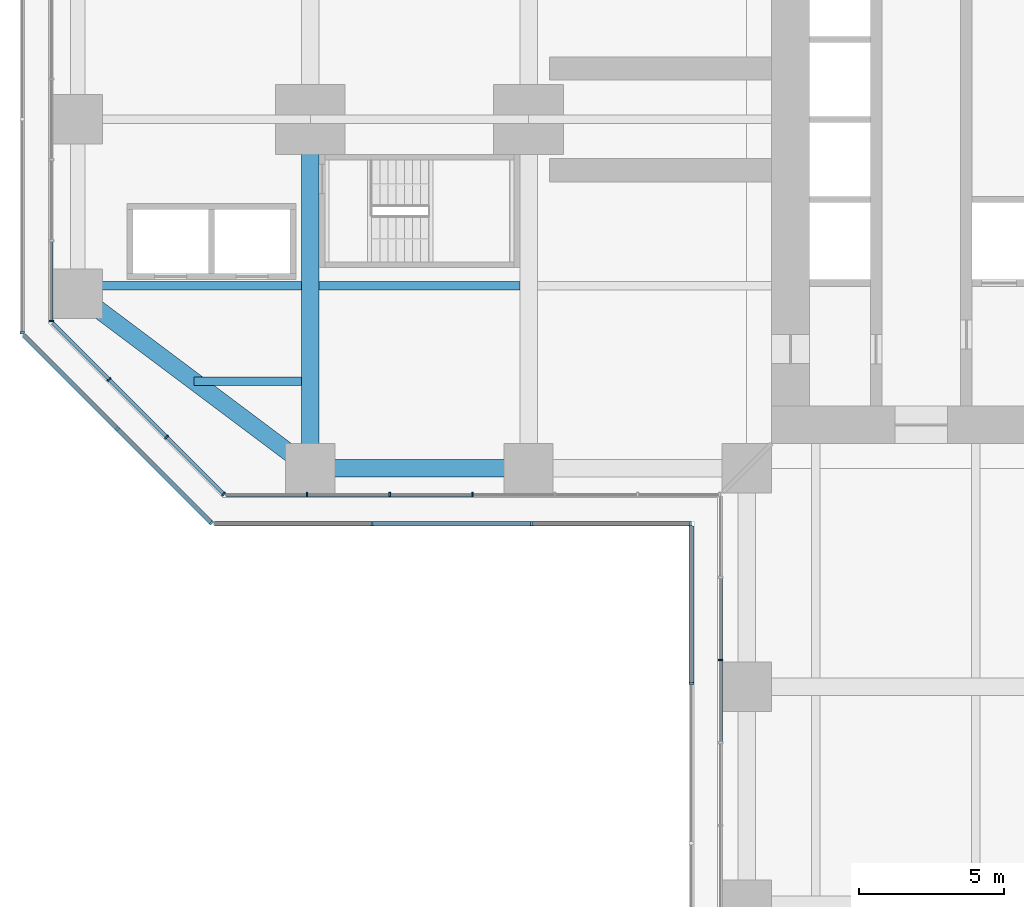
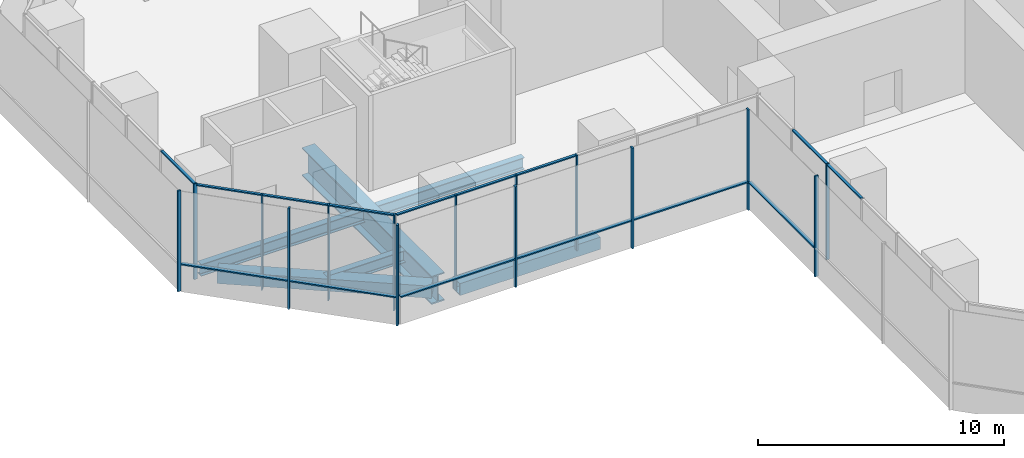
# One storey, part 3 of 23: 30 members, 6 beams, 8 elements without a shape of their own.
"""IFC4 building model written with IfcOpenShell, lengths in metres."""

from ifc_helpers import new_model, si_unit, direction, frame, origin, origin_2d, place, context, subcontext, project, spatial, rectangle, hollow_rectangle, i_section, extrude, material, material_profile, profile_set, type_object, element, aggregate, save


model = new_model("IFC4")

# Units and contexts
model_context = context("Model", 3, precision=1e-05, world=origin(), true_north=direction((0.0, 1.0)))
body_context = subcontext(model_context, "Body", "Model", "MODEL_VIEW")
ifc_project = project(units=[si_unit("LENGTHUNIT", "METRE"), si_unit("AREAUNIT", "SQUARE_METRE"), si_unit("VOLUMEUNIT", "CUBIC_METRE"), si_unit("PLANEANGLEUNIT", "RADIAN"), si_unit("MASSUNIT", "GRAM", prefix="KILO")], contexts=[model_context])

# Site, building, storey
site_placement = place(None, origin())
site = spatial("IfcSite", under=ifc_project, at=site_placement, CompositionType="ELEMENT")
building_placement = place(site_placement, origin())
building = spatial("IfcBuilding", under=site, at=building_placement, Name="Mizan Broadcast Tower", CompositionType="ELEMENT")
storey_placement = place(building_placement, frame((0.0, 0.0, 28.0)))
storey = spatial("IfcBuildingStorey", under=building, at=storey_placement, Name="L04", CompositionType="ELEMENT", Elevation=28.0)

# Beams
ifc_material_1 = material(Name="Steel S355", Category="steel")
ifc_material_profile_1 = material_profile(ifc_material_1, hollow_rectangle(XDim=0.60009765625, YDim=0.60009765625, WallThickness=0.030029296875, at=origin_2d()), Name="BOX 600x600x30")
ifc_profile_set_1 = profile_set([ifc_material_profile_1], Name="Steel S355")
beam_type_1 = type_object("IfcBeamType", Name="EDGE BEAM BOX 600x600x30", PredefinedType="SPANDREL", material=ifc_profile_set_1)
beam_1_placement = place(storey_placement, frame((-27.47998046875, -11.639892578125, -0.550048828125), z_axis=(-0.800013316712, 0.599982243973, 0.0), x_axis=(-0.599982243973, -0.800013316712, 0.0)))
element("IfcBeam", 1, at=beam_1_placement, inside=storey, type_object=beam_type_1, Name="Edge beam BOX 600x600x30 L04 west arm", PredefinedType="SPANDREL", context=body_context, shape_type="SweptSolid", body=[
    extrude(hollow_rectangle(XDim=0.60009765625, YDim=0.60009765625, WallThickness=0.030029296875, at=origin_2d()), origin(), (0.0, 0.0, 1.0), 8.7998046875),
])
ifc_material_2 = material(Name="Steel S355", Category="steel")
ifc_material_profile_2 = material_profile(ifc_material_2, hollow_rectangle(XDim=0.60009765625, YDim=0.60009765625, WallThickness=0.0400390625, at=origin_2d()), Name="BOX 600x600x40")
ifc_profile_set_2 = profile_set([ifc_material_profile_2], Name="Steel S355")
beam_type_2 = type_object("IfcBeamType", Name="EDGE BEAM BOX 600x600x40", PredefinedType="SPANDREL", material=ifc_profile_set_2)
beam_2_placement = place(storey_placement, frame((-19.949951171875, -12.0, -0.550048828125), z_axis=(-1.0, 0.0, 0.0), x_axis=(0.0, -1.0, 0.0)))
element("IfcBeam", 2, at=beam_2_placement, inside=storey, type_object=beam_type_2, Name="Edge beam BOX 600x600x40 L04 west arm", PredefinedType="SPANDREL", context=body_context, shape_type="SweptSolid", body=[
    extrude(hollow_rectangle(XDim=0.60009765625, YDim=0.60009765625, WallThickness=0.0400390625, at=origin_2d()), origin(), (0.0, 0.0, 1.0), 6.60009765625),
])
ifc_material_3 = material(Name="Steel S460", Category="steel")
ifc_material_profile_3 = material_profile(ifc_material_3, i_section(OverallWidth=0.60009765625, OverallDepth=1.39990234375, WebThickness=0.02490234375, FlangeThickness=0.06005859375, at=origin_2d()), Name="WPG 1400x600")
ifc_profile_set_3 = profile_set([ifc_material_profile_3], Name="Steel S460")
beam_type_3 = type_object("IfcBeamType", Name="GIRDER WPG 1400x600", PredefinedType="BEAM", material=ifc_profile_set_3)
beam_3_placement = place(storey_placement, frame((-27.0, -0.719970703125, -0.949951171875), z_axis=(0.0, -1.0, 0.0), x_axis=(1.0, 0.0, 0.0)))
element("IfcBeam", 3, at=beam_3_placement, inside=storey, type_object=beam_type_3, Name="Girder WPG 1400x600 L04 west arm", PredefinedType="BEAM", context=body_context, shape_type="SweptSolid", body=[
    extrude(i_section(OverallWidth=0.60009765625, OverallDepth=1.39990234375, WebThickness=0.02490234375, FlangeThickness=0.06005859375, at=origin_2d()), origin(), (0.0, 0.0, 1.0), 10.56005859375),
])

# Curtain wall, member
ifc_material_4 = material(Name="Aluminium framed glazing", Category="aluminium")
curtain_wall_type_1 = type_object("IfcCurtainWallType", Name="PODIUM CURTAIN WALL", PredefinedType="USERDEFINED", material=ifc_material_4)
curtain_wall_1_placement = place(storey_placement, origin())
curtain_wall_1 = element("IfcCurtainWall", 4, at=curtain_wall_1_placement, inside=storey, type_object=curtain_wall_type_1, Name="Podium curtain wall L04 W end", ObjectType="PODIUM CURTAIN WALL", PredefinedType="USERDEFINED")
ifc_material_5 = material(Name="Aluminium, pale anodised", Category="aluminium")
ifc_material_profile_4 = material_profile(ifc_material_5, rectangle(XDim=0.159912109375, YDim=0.06005859375, at=origin_2d()), Name="MULLION 160x60")
ifc_profile_set_4 = profile_set([ifc_material_profile_4], Name="Aluminium, pale anodised")
member_type_1 = type_object("IfcMemberType", Name="INNER SKIN MULLION 60x160", PredefinedType="MULLION", material=ifc_profile_set_4)
member_1_placement = place(storey_placement, frame((-35.89990234375, -6.928466796875, 0.0), z_axis=(0.0, 0.0, 1.0), x_axis=(1.0, 0.0, 0.0)))
member_1 = element("IfcMember", 5, at=member_1_placement, type_object=member_type_1, Name="Podium curtain wall L04 W end mullion 6", PredefinedType="MULLION", context=body_context, shape_type="SweptSolid", body=[
    extrude(rectangle(XDim=0.159912109375, YDim=0.06005859375, at=origin_2d()), origin(), (0.0, 0.0, 1.0), 4.75),
])

# Curtain wall, members
curtain_wall_2_placement = place(storey_placement, origin())
curtain_wall_2 = element("IfcCurtainWall", 6, at=curtain_wall_2_placement, inside=storey, type_object=curtain_wall_type_1, Name="Podium curtain wall L04 W chamfer", ObjectType="PODIUM CURTAIN WALL", PredefinedType="USERDEFINED")
member_2_placement = place(storey_placement, frame((-33.91943359375, -8.93896484375, 0.0), z_axis=(0.0, 0.0, 1.0), x_axis=(0.707106781187, 0.707106781187, 0.0)))
member_2 = element("IfcMember", 7, at=member_2_placement, type_object=member_type_1, Name="Podium curtain wall L04 W chamfer mullion 2", PredefinedType="MULLION", context=body_context, shape_type="SweptSolid", body=[
    extrude(rectangle(XDim=0.159912109375, YDim=0.06005859375, at=origin_2d()), origin(), (0.0, 0.0, 1.0), 4.75),
])
member_3_placement = place(storey_placement, frame((-31.93896484375, -10.91943359375, 0.0), z_axis=(0.0, 0.0, 1.0), x_axis=(0.707106781187, 0.707106781187, 0.0)))
member_3 = element("IfcMember", 8, at=member_3_placement, type_object=member_type_1, Name="Podium curtain wall L04 W chamfer mullion 3", PredefinedType="MULLION", context=body_context, shape_type="SweptSolid", body=[
    extrude(rectangle(XDim=0.159912109375, YDim=0.06005859375, at=origin_2d()), origin(), (0.0, 0.0, 1.0), 4.75),
])
member_4_placement = place(storey_placement, frame((-29.979736328125, -12.87890625, 0.0), z_axis=(0.0, 0.0, 1.0), x_axis=(0.707106781187, 0.707106781187, 0.0)))
member_4 = element("IfcMember", 9, at=member_4_placement, type_object=member_type_1, Name="Podium curtain wall L04 W chamfer mullion 4", PredefinedType="MULLION", context=body_context, shape_type="SweptSolid", body=[
    extrude(rectangle(XDim=0.159912109375, YDim=0.06005859375, at=origin_2d()), origin(), (0.0, 0.0, 1.0), 4.75),
])

curtain_wall_3_placement = place(storey_placement, origin())
curtain_wall_3 = element("IfcCurtainWall", 10, at=curtain_wall_3_placement, inside=storey, type_object=curtain_wall_type_1, Name="Podium curtain wall L04 W side", ObjectType="PODIUM CURTAIN WALL", PredefinedType="USERDEFINED")
member_5_placement = place(storey_placement, frame((-27.115478515625, -12.89990234375, 0.0), z_axis=(0.0, 0.0, 1.0), x_axis=(0.0, 1.0, 0.0)))
member_5 = element("IfcMember", 11, at=member_5_placement, type_object=member_type_1, Name="Podium curtain wall L04 W side mullion 2", PredefinedType="MULLION", context=body_context, shape_type="SweptSolid", body=[
    extrude(rectangle(XDim=0.159912109375, YDim=0.06005859375, at=origin_2d()), origin(), (0.0, 0.0, 1.0), 4.75),
])
member_6_placement = place(storey_placement, frame((-24.2724609375, -12.89990234375, 0.0), z_axis=(0.0, 0.0, 1.0), x_axis=(0.0, 1.0, 0.0)))
member_6 = element("IfcMember", 12, at=member_6_placement, type_object=member_type_1, Name="Podium curtain wall L04 W side mullion 3", PredefinedType="MULLION", context=body_context, shape_type="SweptSolid", body=[
    extrude(rectangle(XDim=0.159912109375, YDim=0.06005859375, at=origin_2d()), origin(), (0.0, 0.0, 1.0), 4.75),
])
member_7_placement = place(storey_placement, frame((-21.42919921875, -12.89990234375, 0.0), z_axis=(0.0, 0.0, 1.0), x_axis=(0.0, 1.0, 0.0)))
member_7 = element("IfcMember", 13, at=member_7_placement, type_object=member_type_1, Name="Podium curtain wall L04 W side mullion 4", PredefinedType="MULLION", context=body_context, shape_type="SweptSolid", body=[
    extrude(rectangle(XDim=0.159912109375, YDim=0.06005859375, at=origin_2d()), origin(), (0.0, 0.0, 1.0), 4.75),
])

# Curtain wall, member
curtain_wall_4_placement = place(storey_placement, origin())
curtain_wall_4 = element("IfcCurtainWall", 14, at=curtain_wall_4_placement, inside=storey, type_object=curtain_wall_type_1, Name="Podium curtain wall L04 S side", ObjectType="PODIUM CURTAIN WALL", PredefinedType="USERDEFINED")
member_8_placement = place(storey_placement, frame((-12.89990234375, -18.586181640625, 0.0), z_axis=(0.0, 0.0, 1.0), x_axis=(1.0, 0.0, 0.0)))
member_8 = element("IfcMember", 15, at=member_8_placement, type_object=member_type_1, Name="Podium curtain wall L04 S side mullion 3", PredefinedType="MULLION", context=body_context, shape_type="SweptSolid", body=[
    extrude(rectangle(XDim=0.159912109375, YDim=0.06005859375, at=origin_2d()), origin(), (0.0, 0.0, 1.0), 4.75),
])

# Member
ifc_material_6 = material(Name="Aluminium, pale anodised", Category="aluminium")
ifc_material_profile_5 = material_profile(ifc_material_6, rectangle(XDim=0.1201171875, YDim=0.06005859375, at=origin_2d()), Name="TRANSOM 120x60")
ifc_profile_set_5 = profile_set([ifc_material_profile_5], Name="Aluminium, pale anodised")
member_type_2 = type_object("IfcMemberType", Name="INNER SKIN TRANSOM 60x120", PredefinedType="USERDEFINED", material=ifc_profile_set_5)
member_9_placement = place(storey_placement, frame((-35.89990234375, -4.205078125, 4.719970703125), z_axis=(0.0, -1.0, 0.0), x_axis=(1.0, 0.0, 0.0)))
member_9 = element("IfcMember", 16, at=member_9_placement, type_object=member_type_2, Name="Podium curtain wall L04 W end transom 5.1", ObjectType="TRANSOM", PredefinedType="USERDEFINED", context=body_context, shape_type="SweptSolid", body=[
    extrude(rectangle(XDim=0.1201171875, YDim=0.06005859375, at=origin_2d()), origin(), (0.0, 0.0, 1.0), 2.693603515625),
])

aggregate(curtain_wall_1, [member_1, member_9])

member_10_placement = place(storey_placement, frame((-35.857666015625, -7.0009765625, 4.719970703125), z_axis=(0.707151809797, -0.707061749709, 0.0), x_axis=(0.707061749709, 0.707151809797, 0.0)))
member_10 = element("IfcMember", 17, at=member_10_placement, type_object=member_type_2, Name="Podium curtain wall L04 W chamfer transom 1.1", ObjectType="TRANSOM", PredefinedType="USERDEFINED", context=body_context, shape_type="SweptSolid", body=[
    extrude(rectangle(XDim=0.1201171875, YDim=0.06005859375, at=origin_2d()), origin(), (0.0, 0.0, 1.0), 2.7109375),
])

member_11_placement = place(storey_placement, frame((-33.898193359375, -8.960205078125, 4.719970703125), z_axis=(0.707106781187, -0.707106781187, 0.0), x_axis=(0.707106781187, 0.707106781187, 0.0)))
member_11 = element("IfcMember", 18, at=member_11_placement, type_object=member_type_2, Name="Podium curtain wall L04 W chamfer transom 2.1", ObjectType="TRANSOM", PredefinedType="USERDEFINED", context=body_context, shape_type="SweptSolid", body=[
    extrude(rectangle(XDim=0.1201171875, YDim=0.06005859375, at=origin_2d()), origin(), (0.0, 0.0, 1.0), 2.74072265625),
])

member_12_placement = place(storey_placement, frame((-31.917724609375, -10.940673828125, 4.719970703125), z_axis=(0.707061749709, -0.707151809797, 0.0), x_axis=(0.707151809797, 0.707061749709, 0.0)))
member_12 = element("IfcMember", 19, at=member_12_placement, type_object=member_type_2, Name="Podium curtain wall L04 W chamfer transom 3.1", ObjectType="TRANSOM", PredefinedType="USERDEFINED", context=body_context, shape_type="SweptSolid", body=[
    extrude(rectangle(XDim=0.1201171875, YDim=0.06005859375, at=origin_2d()), origin(), (0.0, 0.0, 1.0), 2.7109375),
])

aggregate(curtain_wall_2, [member_2, member_3, member_4, member_10, member_11, member_12])

member_13_placement = place(storey_placement, frame((-29.898681640625, -12.89990234375, 4.719970703125), z_axis=(1.0, 0.0, 0.0), x_axis=(0.0, 1.0, 0.0)))
member_13 = element("IfcMember", 20, at=member_13_placement, type_object=member_type_2, Name="Podium curtain wall L04 W side transom 1.1", ObjectType="TRANSOM", PredefinedType="USERDEFINED", context=body_context, shape_type="SweptSolid", body=[
    extrude(rectangle(XDim=0.1201171875, YDim=0.06005859375, at=origin_2d()), origin(), (0.0, 0.0, 1.0), 2.753173828125),
])

member_14_placement = place(storey_placement, frame((-27.08544921875, -12.89990234375, 4.719970703125), z_axis=(1.0, 0.0, 0.0), x_axis=(0.0, 1.0, 0.0)))
member_14 = element("IfcMember", 21, at=member_14_placement, type_object=member_type_2, Name="Podium curtain wall L04 W side transom 2.1", ObjectType="TRANSOM", PredefinedType="USERDEFINED", context=body_context, shape_type="SweptSolid", body=[
    extrude(rectangle(XDim=0.1201171875, YDim=0.06005859375, at=origin_2d()), origin(), (0.0, 0.0, 1.0), 2.782958984375),
])

member_15_placement = place(storey_placement, frame((-24.242431640625, -12.89990234375, 4.719970703125), z_axis=(1.0, 0.0, 0.0), x_axis=(0.0, 1.0, 0.0)))
member_15 = element("IfcMember", 22, at=member_15_placement, type_object=member_type_2, Name="Podium curtain wall L04 W side transom 3.1", ObjectType="TRANSOM", PredefinedType="USERDEFINED", context=body_context, shape_type="SweptSolid", body=[
    extrude(rectangle(XDim=0.1201171875, YDim=0.06005859375, at=origin_2d()), origin(), (0.0, 0.0, 1.0), 2.783203125),
])

aggregate(curtain_wall_3, [member_5, member_6, member_7, member_13, member_14, member_15])

member_16_placement = place(storey_placement, frame((-12.89990234375, -15.773193359375, 4.719970703125), z_axis=(0.0, -1.0, 0.0), x_axis=(1.0, 0.0, 0.0)))
member_16 = element("IfcMember", 23, at=member_16_placement, type_object=member_type_2, Name="Podium curtain wall L04 S side transom 2.1", ObjectType="TRANSOM", PredefinedType="USERDEFINED", context=body_context, shape_type="SweptSolid", body=[
    extrude(rectangle(XDim=0.1201171875, YDim=0.06005859375, at=origin_2d()), origin(), (0.0, 0.0, 1.0), 2.782958984375),
])

member_17_placement = place(storey_placement, frame((-12.89990234375, -18.6162109375, 4.719970703125), z_axis=(0.0, -1.0, 0.0), x_axis=(1.0, 0.0, 0.0)))
member_17 = element("IfcMember", 24, at=member_17_placement, type_object=member_type_2, Name="Podium curtain wall L04 S side transom 3.1", ObjectType="TRANSOM", PredefinedType="USERDEFINED", context=body_context, shape_type="SweptSolid", body=[
    extrude(rectangle(XDim=0.1201171875, YDim=0.06005859375, at=origin_2d()), origin(), (0.0, 0.0, 1.0), 2.782958984375),
])

aggregate(curtain_wall_4, [member_8, member_16, member_17])

# Curtain wall, member
ifc_material_7 = material(Name="Aluminium framed glazing", Category="aluminium")
curtain_wall_type_2 = type_object("IfcCurtainWallType", Name="OUTER SKIN", PredefinedType="USERDEFINED", material=ifc_material_7)
curtain_wall_5_placement = place(storey_placement, origin())
curtain_wall_5 = element("IfcCurtainWall", 25, at=curtain_wall_5_placement, inside=storey, type_object=curtain_wall_type_2, Name="Outer skin L04 W end", ObjectType="OUTER SKIN", PredefinedType="USERDEFINED")
ifc_material_8 = material(Name="Aluminium, pale anodised", Category="aluminium")
ifc_material_profile_6 = material_profile(ifc_material_8, rectangle(XDim=0.159912109375, YDim=0.080078125, at=origin_2d()), Name="MULLION 160x80")
ifc_profile_set_6 = profile_set([ifc_material_profile_6], Name="Aluminium, pale anodised")
member_type_3 = type_object("IfcMemberType", Name="OUTER SKIN MULLION 80x160", PredefinedType="MULLION", material=ifc_profile_set_6)
member_18_placement = place(storey_placement, frame((-36.89990234375, -7.332763671875, 0.0), z_axis=(0.0, 0.0, 1.0), x_axis=(1.0, 0.0, 0.0)))
member_18 = element("IfcMember", 26, at=member_18_placement, type_object=member_type_3, Name="Outer skin L04 W end mullion 3", PredefinedType="MULLION", context=body_context, shape_type="SweptSolid", body=[
    extrude(rectangle(XDim=0.159912109375, YDim=0.080078125, at=origin_2d()), origin(), (0.0, 0.0, 1.0), 5.0),
])
aggregate(curtain_wall_5, [member_18])

# Curtain wall, members
curtain_wall_6_placement = place(storey_placement, origin())
curtain_wall_6 = element("IfcCurtainWall", 27, at=curtain_wall_6_placement, inside=storey, type_object=curtain_wall_type_2, Name="Outer skin L04 W chamfer", ObjectType="OUTER SKIN", PredefinedType="USERDEFINED")
member_19_placement = place(storey_placement, frame((-33.636474609375, -10.636474609375, 0.0), z_axis=(0.0, 0.0, 1.0), x_axis=(0.707106781187, 0.707106781187, 0.0)))
member_19 = element("IfcMember", 28, at=member_19_placement, type_object=member_type_3, Name="Outer skin L04 W chamfer mullion 2", PredefinedType="MULLION", context=body_context, shape_type="SweptSolid", body=[
    extrude(rectangle(XDim=0.159912109375, YDim=0.080078125, at=origin_2d()), origin(), (0.0, 0.0, 1.0), 5.0),
])
member_20_placement = place(storey_placement, frame((-30.401123046875, -13.871826171875, 0.0), z_axis=(0.0, 0.0, 1.0), x_axis=(0.707106781187, 0.707106781187, 0.0)))
member_20 = element("IfcMember", 29, at=member_20_placement, type_object=member_type_3, Name="Outer skin L04 W chamfer mullion 3", PredefinedType="MULLION", context=body_context, shape_type="SweptSolid", body=[
    extrude(rectangle(XDim=0.159912109375, YDim=0.080078125, at=origin_2d()), origin(), (0.0, 0.0, 1.0), 5.0),
])

curtain_wall_7_placement = place(storey_placement, origin())
curtain_wall_7 = element("IfcCurtainWall", 30, at=curtain_wall_7_placement, inside=storey, type_object=curtain_wall_type_2, Name="Outer skin L04 W side", ObjectType="OUTER SKIN", PredefinedType="USERDEFINED")
member_21_placement = place(storey_placement, frame((-24.8818359375, -13.89990234375, 0.0), z_axis=(0.0, 0.0, 1.0), x_axis=(0.0, 1.0, 0.0)))
member_21 = element("IfcMember", 31, at=member_21_placement, type_object=member_type_3, Name="Outer skin L04 W side mullion 2", PredefinedType="MULLION", context=body_context, shape_type="SweptSolid", body=[
    extrude(rectangle(XDim=0.159912109375, YDim=0.080078125, at=origin_2d()), origin(), (0.0, 0.0, 1.0), 5.0),
])
member_22_placement = place(storey_placement, frame((-19.390869140625, -13.89990234375, 0.0), z_axis=(0.0, 0.0, 1.0), x_axis=(0.0, 1.0, 0.0)))
member_22 = element("IfcMember", 32, at=member_22_placement, type_object=member_type_3, Name="Outer skin L04 W side mullion 3", PredefinedType="MULLION", context=body_context, shape_type="SweptSolid", body=[
    extrude(rectangle(XDim=0.159912109375, YDim=0.080078125, at=origin_2d()), origin(), (0.0, 0.0, 1.0), 5.0),
])
member_23_placement = place(storey_placement, frame((-13.93994140625, -13.89990234375, 0.0), z_axis=(0.0, 0.0, 1.0), x_axis=(0.0, 1.0, 0.0)))
member_23 = element("IfcMember", 33, at=member_23_placement, type_object=member_type_3, Name="Outer skin L04 W side mullion 4", PredefinedType="MULLION", context=body_context, shape_type="SweptSolid", body=[
    extrude(rectangle(XDim=0.159912109375, YDim=0.080078125, at=origin_2d()), origin(), (0.0, 0.0, 1.0), 5.0),
])

# Curtain wall, member
curtain_wall_8_placement = place(storey_placement, origin())
curtain_wall_8 = element("IfcCurtainWall", 34, at=curtain_wall_8_placement, inside=storey, type_object=curtain_wall_type_2, Name="Outer skin L04 S side", ObjectType="OUTER SKIN", PredefinedType="USERDEFINED")
member_24_placement = place(storey_placement, frame((-13.89990234375, -19.390869140625, 0.0), z_axis=(0.0, 0.0, 1.0), x_axis=(1.0, 0.0, 0.0)))
member_24 = element("IfcMember", 35, at=member_24_placement, type_object=member_type_3, Name="Outer skin L04 S side mullion 2", PredefinedType="MULLION", context=body_context, shape_type="SweptSolid", body=[
    extrude(rectangle(XDim=0.159912109375, YDim=0.080078125, at=origin_2d()), origin(), (0.0, 0.0, 1.0), 5.0),
])

# Member
ifc_material_9 = material(Name="Aluminium, pale anodised", Category="aluminium")
ifc_material_profile_7 = material_profile(ifc_material_9, rectangle(XDim=0.159912109375, YDim=0.06005859375, at=origin_2d()), Name="TRANSOM 160x60")
ifc_profile_set_7 = profile_set([ifc_material_profile_7], Name="Aluminium, pale anodised")
member_type_4 = type_object("IfcMemberType", Name="OUTER SKIN TRANSOM 60x160", PredefinedType="USERDEFINED", material=ifc_profile_set_7)
member_25_placement = place(storey_placement, frame((-36.843505859375, -7.429443359375, 1.39990234375), z_axis=(0.707106781187, -0.707106781187, 0.0), x_axis=(0.707106781187, 0.707106781187, 0.0)))
member_25 = element("IfcMember", 36, at=member_25_placement, type_object=member_type_4, Name="Outer skin L04 W chamfer transom 1.1", ObjectType="TRANSOM", PredefinedType="USERDEFINED", context=body_context, shape_type="SweptSolid", body=[
    extrude(rectangle(XDim=0.159912109375, YDim=0.06005859375, at=origin_2d()), origin(), (0.0, 0.0, 1.0), 4.495361328125),
])

member_26_placement = place(storey_placement, frame((-33.608154296875, -10.664794921875, 1.39990234375), z_axis=(0.707106781187, -0.707106781187, 0.0), x_axis=(0.707106781187, 0.707106781187, 0.0)))
member_26 = element("IfcMember", 37, at=member_26_placement, type_object=member_type_4, Name="Outer skin L04 W chamfer transom 2.1", ObjectType="TRANSOM", PredefinedType="USERDEFINED", context=body_context, shape_type="SweptSolid", body=[
    extrude(rectangle(XDim=0.159912109375, YDim=0.06005859375, at=origin_2d()), origin(), (0.0, 0.0, 1.0), 4.495361328125),
])

aggregate(curtain_wall_6, [member_19, member_20, member_25, member_26])

member_27_placement = place(storey_placement, frame((-30.292724609375, -13.89990234375, 1.39990234375), z_axis=(1.0, 0.0, 0.0), x_axis=(0.0, 1.0, 0.0)))
member_27 = element("IfcMember", 38, at=member_27_placement, type_object=member_type_4, Name="Outer skin L04 W side transom 1.1", ObjectType="TRANSOM", PredefinedType="USERDEFINED", context=body_context, shape_type="SweptSolid", body=[
    extrude(rectangle(XDim=0.159912109375, YDim=0.06005859375, at=origin_2d()), origin(), (0.0, 0.0, 1.0), 5.370849609375),
])

member_28_placement = place(storey_placement, frame((-24.841796875, -13.89990234375, 1.39990234375), z_axis=(1.0, 0.0, 0.0), x_axis=(0.0, 1.0, 0.0)))
member_28 = element("IfcMember", 39, at=member_28_placement, type_object=member_type_4, Name="Outer skin L04 W side transom 2.1", ObjectType="TRANSOM", PredefinedType="USERDEFINED", context=body_context, shape_type="SweptSolid", body=[
    extrude(rectangle(XDim=0.159912109375, YDim=0.06005859375, at=origin_2d()), origin(), (0.0, 0.0, 1.0), 5.410888671875),
])

member_29_placement = place(storey_placement, frame((-19.350830078125, -13.89990234375, 1.39990234375), z_axis=(1.0, 0.0, 0.0), x_axis=(0.0, 1.0, 0.0)))
member_29 = element("IfcMember", 40, at=member_29_placement, type_object=member_type_4, Name="Outer skin L04 W side transom 3.1", ObjectType="TRANSOM", PredefinedType="USERDEFINED", context=body_context, shape_type="SweptSolid", body=[
    extrude(rectangle(XDim=0.159912109375, YDim=0.06005859375, at=origin_2d()), origin(), (0.0, 0.0, 1.0), 5.370849609375),
])

aggregate(curtain_wall_7, [member_21, member_22, member_23, member_27, member_28, member_29])

member_30_placement = place(storey_placement, frame((-13.89990234375, -13.97998046875, 1.39990234375), z_axis=(0.0, -1.0, 0.0), x_axis=(1.0, 0.0, 0.0)))
member_30 = element("IfcMember", 41, at=member_30_placement, type_object=member_type_4, Name="Outer skin L04 S side transom 1.1", ObjectType="TRANSOM", PredefinedType="USERDEFINED", context=body_context, shape_type="SweptSolid", body=[
    extrude(rectangle(XDim=0.159912109375, YDim=0.06005859375, at=origin_2d()), origin(), (0.0, 0.0, 1.0), 5.370849609375),
])

aggregate(curtain_wall_8, [member_24, member_30])

# Beams
ifc_material_10 = material(Name="Steel S355", Category="steel")
ifc_material_profile_8 = material_profile(ifc_material_10, i_section(OverallWidth=0.300048828125, OverallDepth=0.590087890625, WebThickness=0.012939453125, FlangeThickness=0.02490234375, FilletRadius=0.027099609375, at=origin_2d()), Name="HEA 600")
ifc_profile_set_8 = profile_set([ifc_material_profile_8], Name="Steel S355")
beam_type_4 = type_object("IfcBeamType", Name="SECONDARY BEAM HEA 600", PredefinedType="JOIST", material=ifc_profile_set_8)
beam_4_placement = place(storey_placement, frame((-19.800048828125, -5.71435546875, -0.544921875), z_axis=(-1.0, 0.0, 0.0), x_axis=(0.0, -1.0, 0.0)))
element("IfcBeam", 42, at=beam_4_placement, inside=storey, type_object=beam_type_4, Name="Secondary beam HEA 600 L04 west arm", PredefinedType="JOIST", context=body_context, shape_type="SweptSolid", body=[
    extrude(i_section(OverallWidth=0.300048828125, OverallDepth=0.590087890625, WebThickness=0.012939453125, FlangeThickness=0.02490234375, FilletRadius=0.027099609375, at=origin_2d()), origin(), (0.0, 0.0, 1.0), 6.89990234375),
])
beam_5_placement = place(storey_placement, frame((-27.300048828125, -5.71435546875, -0.544921875), z_axis=(-1.0, 0.0, 0.0), x_axis=(0.0, -1.0, 0.0)))
element("IfcBeam", 43, at=beam_5_placement, inside=storey, type_object=beam_type_4, Name="Secondary beam HEA 600 L04 west arm", PredefinedType="JOIST", context=body_context, shape_type="SweptSolid", body=[
    extrude(i_section(OverallWidth=0.300048828125, OverallDepth=0.590087890625, WebThickness=0.012939453125, FlangeThickness=0.02490234375, FilletRadius=0.027099609375, at=origin_2d()), origin(), (0.0, 0.0, 1.0), 7.699951171875),
])
beam_6_placement = place(storey_placement, frame((-27.300048828125, -9.0, -0.544921875), z_axis=(-1.0, 0.0, 0.0), x_axis=(0.0, -1.0, 0.0)))
element("IfcBeam", 44, at=beam_6_placement, inside=storey, type_object=beam_type_4, Name="Secondary beam HEA 600 L04 west arm", PredefinedType="JOIST", context=body_context, shape_type="SweptSolid", body=[
    extrude(i_section(OverallWidth=0.300048828125, OverallDepth=0.590087890625, WebThickness=0.012939453125, FlangeThickness=0.02490234375, FilletRadius=0.027099609375, at=origin_2d()), origin(), (0.0, 0.0, 1.0), 3.699951171875),
])

save(model, "model.ifc")
